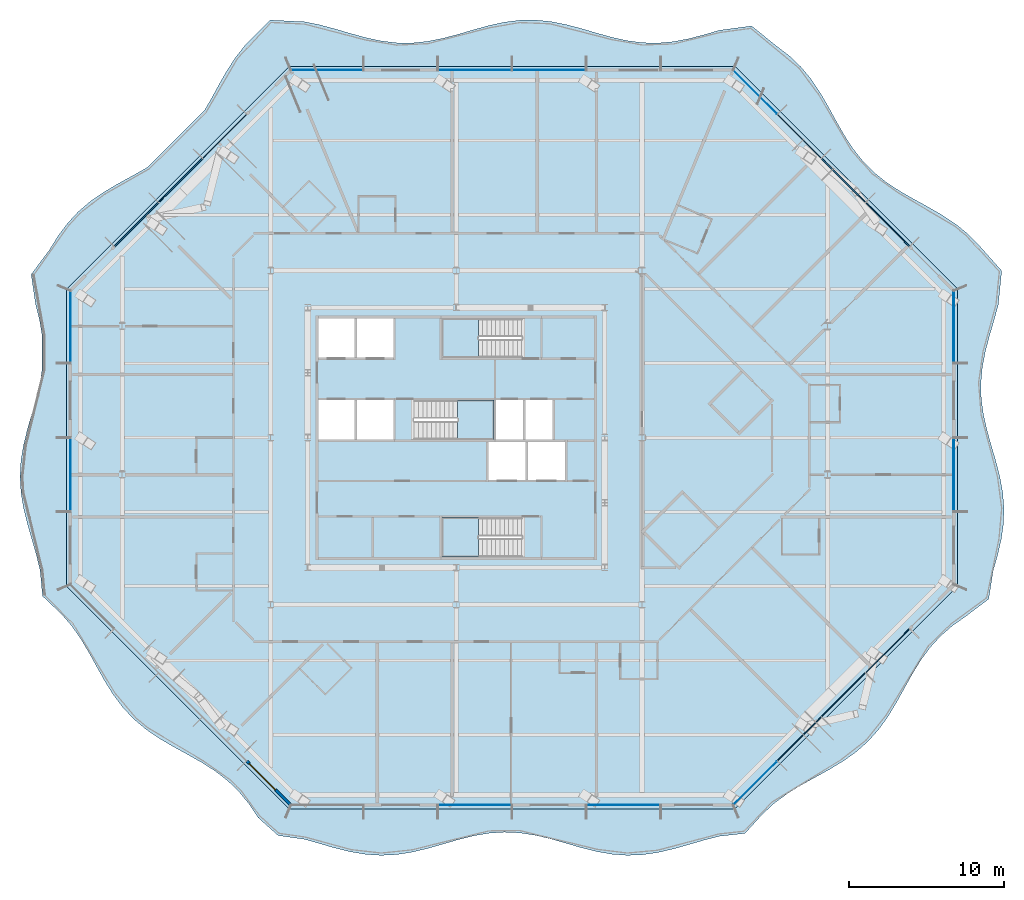
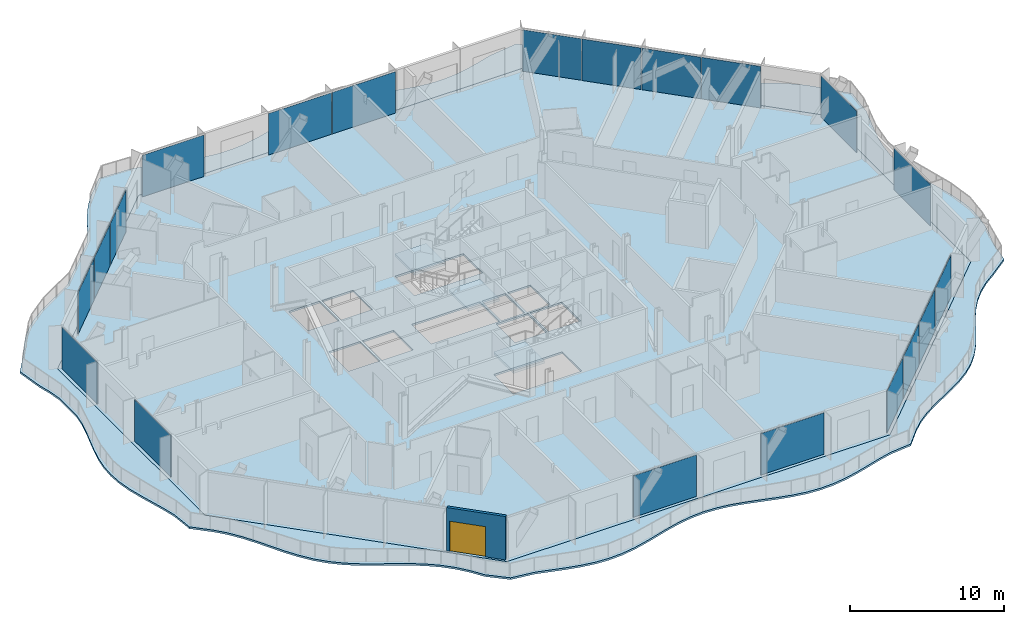
# One storey, part 6 of 19: 20 plates, 5 slabs, 1 door, 1 wall, 1 opening, 10 elements without a shape of their own.
"""IFC4 building model written with IfcOpenShell, lengths in metres."""

import ifcopenshell
import ifcopenshell.guid

model = None  # the IFC model being written
_history = None  # IfcOwnerHistory: only IFC2X3 demands one
_inside = {}  # id of a spatial element -> (the spatial element, [elements in it])
_under = {}  # id of a project, library or spatial element -> (it, [spatial elements below it])
_declared = {}  # id of a project -> (the project, [libraries it declares])
_typed = {}  # id of a type object -> (the type object, [elements of that type])
_made_of = {}  # id of a material, layer set ... -> (it, [elements and type objects made of it])


def new_model(schema):
    """Start an empty IFC model of exactly this schema.

    Asked for "IFC4X3", IfcOpenShell would pick the latest addendum, in which some entities
    have other attributes; the version numbers below select the first issue.
    IFC2X3 requires an IfcOwnerHistory on every rooted entity: one is made here for all.
    """
    global model, _history
    if schema == "IFC4X3":
        model = ifcopenshell.file(schema_version=(4, 3, 0, 0))
    else:
        model = ifcopenshell.file(schema=schema)
    _inside.clear()
    _under.clear()
    _declared.clear()
    _typed.clear()
    _made_of.clear()
    _history = None
    if model.schema == "IFC2X3":
        org = make("IfcOrganization", Name="unknown")
        user = make(
            "IfcPersonAndOrganization",
            ThePerson=make("IfcPerson", FamilyName="unknown"),
            TheOrganization=org,
        )
        app = make(
            "IfcApplication",
            ApplicationDeveloper=org,
            Version="unknown",
            ApplicationFullName="unknown",
            ApplicationIdentifier="unknown",
        )
        _history = make(
            "IfcOwnerHistory",
            OwningUser=user,
            OwningApplication=app,
            ChangeAction="ADDED",
            CreationDate=0,
        )
    return model


def make(cls, **values):
    """One entity of the class cls with the attributes given. An attribute that is None is left unset."""
    return model.create_entity(
        cls, **{name: value for name, value in values.items() if value is not None}
    )


def rooted(cls, **values):
    """An entity with a GlobalId (a new one), such as an element, a storey or a relation."""
    return make(cls, GlobalId=ifcopenshell.guid.new(), OwnerHistory=_history, **values)


def si_unit(unit_type, name, prefix=None):
    """IfcSIUnit, for example si_unit("LENGTHUNIT", "METRE", prefix="MILLI")."""
    return make("IfcSIUnit", UnitType=unit_type, Prefix=prefix, Name=name)


def assignment(units):
    """IfcUnitAssignment: the units of a project."""
    return None if units is None else make("IfcUnitAssignment", Units=units)


def point(xyz):
    """IfcCartesianPoint."""
    return None if xyz is None else make("IfcCartesianPoint", Coordinates=xyz)


def direction(xyz):
    """IfcDirection."""
    return None if xyz is None else make("IfcDirection", DirectionRatios=xyz)


def frame(location, z_axis=None, x_axis=None):
    """IfcAxis2Placement3D, a coordinate frame: its origin and axes. An axis left out is left unset."""
    return make(
        "IfcAxis2Placement3D",
        Location=point(location),
        Axis=direction(z_axis),
        RefDirection=direction(x_axis),
    )


def frame_2d(location, x_axis=None):
    """IfcAxis2Placement2D, a coordinate frame in the plane: its origin and x axis."""
    return make(
        "IfcAxis2Placement2D", Location=point(location), RefDirection=direction(x_axis)
    )


def origin():
    """The frame at (0, 0, 0) with its axes left unset."""
    return frame((0.0, 0.0, 0.0))


def origin_2d():
    """The frame at (0, 0) in the plane with its x axis left unset."""
    return frame_2d((0.0, 0.0))


def place(relative_to, where):
    """IfcLocalPlacement: puts the frame where relative to a parent placement (None: the world)."""
    return make(
        "IfcLocalPlacement", PlacementRelTo=relative_to, RelativePlacement=where
    )


def context(
    kind, dimensions, precision=None, world=None, true_north=None, identifier=None
):
    """IfcGeometricRepresentationContext, for example the 3D "Model" context."""
    return make(
        "IfcGeometricRepresentationContext",
        ContextIdentifier=identifier,
        ContextType=kind,
        CoordinateSpaceDimension=dimensions,
        Precision=precision,
        WorldCoordinateSystem=world,
        TrueNorth=true_north,
    )


def subcontext(parent, identifier, kind, view, scale=None):
    """IfcGeometricRepresentationSubContext, for example "Body" below "Model"."""
    return make(
        "IfcGeometricRepresentationSubContext",
        ContextIdentifier=identifier,
        ContextType=kind,
        ParentContext=parent,
        TargetScale=scale,
        TargetView=view,
    )


def project(units=None, contexts=None):
    """IfcProject with its units and contexts."""
    return rooted(
        "IfcProject",
        Name="project",
        RepresentationContexts=contexts,
        UnitsInContext=assignment(units),
    )


def spatial(cls, under=None, at=None, **own):
    """A site, building, storey or space (cls), placed at a placement, below another one or the project."""
    s = rooted(cls, ObjectPlacement=at, **own)
    if under is not None:
        _under.setdefault(under.id(), (under, []))[1].append(s)
    return s


def polyline(points):
    """IfcPolyline through the points."""
    return make("IfcPolyline", Points=[point(p) for p in points])


def profile(cls, at=None, kind="AREA", **sizes):
    """A parametric profile (cls). Its sizes go by their IFC names, for example OverallWidth=200.0."""
    return make(cls, ProfileType=kind, Position=at, **sizes)


def rectangle(**sizes):
    """IfcRectangleProfileDef."""
    return profile("IfcRectangleProfileDef", **sizes)


def outline(outer, holes=None, kind="AREA"):
    """IfcArbitraryClosedProfileDef: a profile drawn as a closed curve; with holes, ...WithVoids."""
    if holes is None:
        return make("IfcArbitraryClosedProfileDef", ProfileType=kind, OuterCurve=outer)
    return make(
        "IfcArbitraryProfileDefWithVoids",
        ProfileType=kind,
        OuterCurve=outer,
        InnerCurves=holes,
    )


def extrude(swept, where, along, depth):
    """IfcExtrudedAreaSolid: the profile swept, set in the frame where, extruded along a direction by depth."""
    return make(
        "IfcExtrudedAreaSolid",
        SweptArea=swept,
        Position=where,
        ExtrudedDirection=direction(along),
        Depth=depth,
    )


def shape(context_of_items, identifier, shape_type, items):
    """IfcShapeRepresentation: the items that make up one representation, for example the "Body"."""
    return make(
        "IfcShapeRepresentation",
        ContextOfItems=context_of_items,
        RepresentationIdentifier=identifier,
        RepresentationType=shape_type,
        Items=items,
    )


def material(Name=None, Category=None):
    """IfcMaterial."""
    return make("IfcMaterial", Name=Name, Category=Category)


def layer(
    of_material, thickness, ventilated=None, Name=None, Category=None, Priority=None
):
    """IfcMaterialLayer: one layer of a wall or slab, of a material (None: an air gap)."""
    return make(
        "IfcMaterialLayer",
        Material=of_material,
        LayerThickness=thickness,
        IsVentilated=ventilated,
        Name=Name,
        Category=Category,
        Priority=Priority,
    )


def layer_set(layers, Name=None):
    """IfcMaterialLayerSet."""
    return make("IfcMaterialLayerSet", MaterialLayers=layers, LayerSetName=Name)


def made_of(thing, what):
    """Note that an element or type object is made of a material, layer set ...; save() writes the relation."""
    if what is not None:
        _made_of.setdefault(what.id(), (what, []))[1].append(thing)
    return thing


def type_object(cls, material=None, **own):
    """A type object (cls), such as IfcWallType, which elements share."""
    return made_of(rooted(cls, **own), material)


def element(
    cls,
    number,
    at=None,
    inside=None,
    cuts=None,
    type_object=None,
    material=None,
    context=None,
    identifier="Body",
    shape_type=None,
    held_by="IfcProductDefinitionShape",
    body=None,
    shapes=None,
    **own,
):
    """One element of the class cls, such as IfcWall. Its Tag is "e" and its number.

    at: its placement. inside: the storey or other place that contains it. cuts: it is an
    opening in that element (IfcRelVoidsElement). A single representation is given by context,
    identifier, shape_type and body (its items); several are given by shapes. held_by: the class
    of the entity that holds the representations. save() writes the other relations.
    """
    e = rooted(cls, Tag="e%d" % number, ObjectPlacement=at, **own)
    if body is not None:
        shapes = [shape(context, identifier, shape_type, body)]
    if shapes is not None:
        e.Representation = make(held_by, Representations=shapes)
    if inside is not None:
        _inside.setdefault(inside.id(), (inside, []))[1].append(e)
    if cuts is not None:
        rooted(
            "IfcRelVoidsElement", RelatingBuildingElement=cuts, RelatedOpeningElement=e
        )
    if type_object is not None:
        _typed.setdefault(type_object.id(), (type_object, []))[1].append(e)
    return made_of(e, material)


def fill(opening, filler):
    """IfcRelFillsElement: the door or window that sits in an opening."""
    return rooted(
        "IfcRelFillsElement",
        RelatingOpeningElement=opening,
        RelatedBuildingElement=filler,
    )


def aggregate(whole, parts):
    """IfcRelAggregates: a whole, such as a stair, and the parts it consists of."""
    return rooted("IfcRelAggregates", RelatingObject=whole, RelatedObjects=parts)


def save(model, path):
    """Write the relations noted so far, then the file.

    IfcRelAggregates (storeys below a building ...), IfcRelContainedInSpatialStructure (elements
    in a storey), IfcRelDefinesByType, IfcRelAssociatesMaterial and IfcRelDeclares: one each for
    every whole, place, type object, material and project.
    """
    for whole, parts in _under.values():
        aggregate(whole, parts)
    for where, things in _inside.values():
        rooted(
            "IfcRelContainedInSpatialStructure",
            RelatedElements=things,
            RelatingStructure=where,
        )
    for kind, things in _typed.values():
        rooted("IfcRelDefinesByType", RelatedObjects=things, RelatingType=kind)
    for what, things in _made_of.values():
        rooted("IfcRelAssociatesMaterial", RelatedObjects=things, RelatingMaterial=what)
    for by, libraries in _declared.values():
        rooted("IfcRelDeclares", RelatingContext=by, RelatedDefinitions=libraries)
    model.write(path)


model = new_model("IFC4")

# Units and contexts
model_context = context("Model", 3, precision=1e-05, world=origin(), true_north=direction((0.0, 1.0)))
body_context = subcontext(model_context, "Body", "Model", "MODEL_VIEW")
ifc_project = project(units=[si_unit("LENGTHUNIT", "METRE"), si_unit("AREAUNIT", "SQUARE_METRE"), si_unit("VOLUMEUNIT", "CUBIC_METRE"), si_unit("PLANEANGLEUNIT", "RADIAN"), si_unit("MASSUNIT", "GRAM", prefix="KILO")], contexts=[model_context])

# Site, building, storey
site_placement = place(None, origin())
site = spatial("IfcSite", under=ifc_project, at=site_placement, CompositionType="ELEMENT")
building_placement = place(site_placement, origin())
building = spatial("IfcBuilding", under=site, at=building_placement, Name="Cairn Pilgrim Tower", CompositionType="ELEMENT")
storey_placement = place(building_placement, frame((0.0, 0.0, 186.60009765625)))
storey = spatial("IfcBuildingStorey", under=building, at=storey_placement, Name="L47", CompositionType="ELEMENT", Elevation=186.60009765625)

# Slabs
ifc_material_1 = material(Name="Concrete C35/45", Category="concrete")
ifc_layer_1 = layer(ifc_material_1, 0.14990234375)
ifc_layer_set_1 = layer_set([ifc_layer_1], Name="BALCONY SLAB 150 CONCRETE C35/45")
slab_type_1 = type_object("IfcSlabType", Name="BALCONY SLAB 150 CONCRETE C35/45", PredefinedType="FLOOR", material=ifc_layer_set_1)
slab_1_placement = place(storey_placement, frame((0.0, 0.0, -0.150146484375)))
element("IfcSlab", 1, at=slab_1_placement, inside=storey, type_object=slab_type_1, Name="Balcony slab BS-1", PredefinedType="FLOOR", context=body_context, shape_type="SweptSolid", body=[
    extrude(outline(polyline([(-8.153564453125, 25.193603515625), (-8.6630859375, 24.262939453125), (-9.082275390625, 23.542724609375), (-12.7216796875, 19.9033203125), (-12.857421875, 19.8173828125), (-13.778564453125, 19.298583984375), (-14.708251953125, 18.7880859375), (-15.613037109375, 18.2529296875), (-16.4638671875, 17.663818359375), (-17.239990234375, 17.0), (-17.932861328125, 16.252685546875), (-18.54638671875, 15.42626953125), (-19.09765625, 14.53759765625), (-20.28125, 12.94482421875), (-19.9892578125, 10.989501953125), (-19.737548828125, 9.97900390625), (-19.574951171875, 9.022705078125), (-19.574951171875, 6.796875), (-19.7109375, 5.936767578125), (-19.954345703125, 4.92626953125), (-20.24365234375, 3.915771484375), (-20.533935546875, 2.9052734375), (-20.7802734375, 1.894775390625), (-20.944091796875, 0.88427734375), (-21.0, -0.126220703125), (-20.939453125, -1.136962890625), (-20.771728515625, -2.1474609375), (-20.522705078125, -3.157958984375), (-20.231689453125, -4.16845703125), (-19.943359375, -5.178955078125), (-19.70263671875, -6.189453125), (-19.546875, -7.8408203125), (-18.341064453125, -8.981201171875), (-17.672119140625, -9.751953125), (-17.07861328125, -10.5986328125), (-16.54052734375, -11.50048828125), (-16.029541015625, -12.429443359375), (-15.512451171875, -13.352294921875), (-14.957275390625, -14.237060546875), (-14.337890625, -15.057861328125), (-13.638671875, -15.798583984375), (-12.856201171875, -16.4560546875), (-12.000244140625, -17.040283203125), (-11.09228515625, -17.572265625), (-10.162353515625, -18.082275390625), (-9.242919921875, -18.60302734375), (-8.365966796875, -19.166015625), (-7.555908203125, -19.7958984375), (-6.827392578125, -20.50732421875), (-6.18115234375, -21.30126953125), (-5.606201171875, -22.166015625), (-4.312255859375, -23.319580078125), (-2.60693359375, -23.56103515625), (-1.61376953125, -23.845947265625), (-0.62060546875, -24.13134765625), (0.372314453125, -24.37451171875), (1.365478515625, -24.5390625), (2.358642578125, -24.599853515625), (3.351806640625, -24.54833984375), (4.3447265625, -24.3916015625), (5.337890625, -24.15380859375), (6.3310546875, -23.870361328125), (7.32421875, -23.583740234375), (8.317138671875, -23.337158203125), (9.310302734375, -23.167724609375), (10.303466796875, -23.1005859375), (11.296630859375, -23.14599609375), (12.28955078125, -23.297119140625), (13.28271484375, -23.531494140625), (14.27587890625, -23.8134765625), (15.26904296875, -24.10107421875), (16.261962890625, -24.350830078125), (17.255126953125, -24.525390625), (18.248291015625, -24.5986328125), (19.241455078125, -24.559326171875), (20.234375, -24.41357421875), (21.2275390625, -24.183349609375), (22.220703125, -23.90283203125), (23.2138671875, -23.6142578125), (24.206787109375, -23.361328125), (25.855224609375, -23.181640625), (26.98193359375, -21.94189453125), (27.72900390625, -21.2490234375), (28.55517578125, -20.63525390625), (29.44384765625, -20.083740234375), (30.368408203125, -19.568359375), (31.29638671875, -19.056396484375), (32.195068359375, -18.51513671875), (33.03662109375, -17.91650390625), (33.80126953125, -17.2412109375), (34.482421875, -16.482421875), (35.0859375, -15.64599609375), (35.63037109375, -14.750244140625), (36.143310546875, -13.8232421875), (36.657470703125, -12.8974609375), (37.205322265625, -12.00537109375), (37.81396484375, -11.174072265625), (38.501220703125, -10.421142578125), (39.27197265625, -9.751953125), (40.1181640625, -9.158203125), (41.6083984375, -8.031982421875), (41.901611328125, -6.189453125), (42.186767578125, -5.178955078125), (42.419677734375, -4.16845703125), (42.56396484375, -3.157958984375), (42.59716796875, -2.1474609375), (42.514404296875, -1.136962890625), (42.328369140625, -0.126220703125), (42.068115234375, 0.88427734375), (41.773681640625, 1.894775390625), (41.4912109375, 2.9052734375), (41.2646484375, 3.915771484375), (41.12890625, 4.92626953125), (41.105224609375, 5.936767578125), (41.197265625, 6.947265625), (41.390869140625, 7.9580078125), (41.65576171875, 8.968505859375), (41.950927734375, 9.97900390625), (42.230224609375, 10.989501953125), (42.45068359375, 13.1806640625), (40.98583984375, 14.825927734375), (40.274658203125, 15.5546875), (39.48095703125, 16.200927734375), (38.616455078125, 16.7763671875), (37.703369140625, 17.303466796875), (36.77294921875, 17.812744140625), (35.857666015625, 18.337646484375), (34.98876953125, 18.908935546875), (34.189697265625, 19.5498046875), (33.472900390625, 20.27294921875), (32.837646484375, 21.07763671875), (32.27099609375, 21.950927734375), (31.748291015625, 22.868408203125), (31.23876953125, 23.798828125), (30.709228515625, 24.709228515625), (30.129150390625, 25.569091796875), (29.47705078125, 26.35693359375), (28.74169921875, 27.061767578125), (27.926025390625, 27.68603515625), (26.28076171875, 29.0087890625), (24.206787109375, 28.731689453125), (23.2138671875, 28.44189453125), (22.220703125, 28.18359375), (21.2275390625, 27.995361328125), (20.234375, 27.9052734375), (19.241455078125, 27.92724609375), (18.248291015625, 28.0576171875), (17.255126953125, 28.27685546875), (16.261962890625, 28.55224609375), (15.26904296875, 28.84228515625), (14.27587890625, 29.103515625), (13.28271484375, 29.296630859375), (12.28955078125, 29.392578125), (11.296630859375, 29.376953125), (10.303466796875, 29.252197265625), (9.310302734375, 29.037109375), (8.317138671875, 28.763916015625), (7.32421875, 28.473388671875), (6.3310546875, 28.20947265625), (5.337890625, 28.011962890625), (4.3447265625, 27.909912109375), (3.351806640625, 27.919189453125), (2.358642578125, 28.038330078125), (1.365478515625, 28.2490234375), (0.372314453125, 28.520263671875), (-0.62060546875, 28.810791015625), (-1.61376953125, 29.0771484375), (-2.60693359375, 29.279541015625), (-4.83740234375, 29.38720703125), (-6.42919921875, 27.7890625), (-7.064208984375, 26.984130859375), (-7.630859375, 26.11083984375), (-8.153564453125, 25.193603515625)]), holes=[polyline([(25.199951171875, -21.60009765625), (-3.60009765625, -21.60009765625), (-18.0, -7.199951171875), (-18.0, 12.0), (-3.60009765625, 26.39990234375), (25.199951171875, 26.39990234375), (39.60009765625, 12.0), (39.60009765625, -7.199951171875), (25.199951171875, -21.60009765625)])]), origin(), (0.0, 0.0, 1.0), 0.150146484375),
])
ifc_layer_2 = layer(ifc_material_1, 0.14990234375)
ifc_layer_set_2 = layer_set([ifc_layer_2], Name="COMPOSITE FLOOR SLAB 150")
slab_type_2 = type_object("IfcSlabType", Name="COMPOSITE FLOOR SLAB 150", PredefinedType="FLOOR", material=ifc_layer_set_2)
slab_2_placement = place(storey_placement, frame((0.0, 0.0, -0.150146484375)))
element("IfcSlab", 2, at=slab_2_placement, inside=storey, type_object=slab_type_2, Name="FLOOR SLAB L47", PredefinedType="FLOOR", context=body_context, shape_type="SweptSolid", body=[
    extrude(outline(polyline([(-3.60009765625, -21.60009765625), (25.199951171875, -21.60009765625), (39.60009765625, -7.199951171875), (39.60009765625, 12.0), (25.199951171875, 26.39990234375), (-3.60009765625, 26.39990234375), (-18.0, 12.0), (-18.0, -7.199951171875), (-3.60009765625, -21.60009765625)]), holes=[polyline([(9.27490234375, -0.324951171875), (11.675048828125, -0.324951171875), (11.675048828125, 2.125), (9.27490234375, 2.125), (9.27490234375, -0.324951171875)]), polyline([(11.824951171875, -0.324951171875), (14.22509765625, -0.324951171875), (14.22509765625, 2.125), (11.824951171875, 2.125), (11.824951171875, -0.324951171875)]), polyline([(-1.72509765625, 2.27490234375), (0.625, 2.27490234375), (0.625, 4.824951171875), (-1.72509765625, 4.824951171875), (-1.72509765625, 2.27490234375)]), polyline([(0.77490234375, 2.27490234375), (3.125, 2.27490234375), (3.125, 4.824951171875), (0.77490234375, 4.824951171875), (0.77490234375, 2.27490234375)]), polyline([(-1.72509765625, 7.574951171875), (0.625, 7.574951171875), (0.625, 10.10009765625), (-1.72509765625, 10.10009765625), (-1.72509765625, 7.574951171875)]), polyline([(0.77490234375, 7.574951171875), (3.125, 7.574951171875), (3.125, 10.10009765625), (0.77490234375, 10.10009765625), (0.77490234375, 7.574951171875)]), polyline([(9.77490234375, 2.27490234375), (11.52490234375, 2.27490234375), (11.52490234375, 4.824951171875), (9.77490234375, 4.824951171875), (9.77490234375, 2.27490234375)]), polyline([(11.675048828125, 2.27490234375), (13.425048828125, 2.27490234375), (13.425048828125, 4.824951171875), (11.675048828125, 4.824951171875), (11.675048828125, 2.27490234375)]), polyline([(11.424560546875, -2.77490234375), (6.27490234375, -2.77490234375), (6.27490234375, -5.300048828125), (11.424560546875, -5.300048828125), (11.424560546875, -2.77490234375)]), polyline([(4.4755859375, 2.27490234375), (9.625, 2.27490234375), (9.625, 4.824951171875), (4.4755859375, 4.824951171875), (4.4755859375, 2.27490234375)]), polyline([(11.424560546875, 10.10009765625), (6.27490234375, 10.10009765625), (6.27490234375, 7.574951171875), (11.424560546875, 7.574951171875), (11.424560546875, 10.10009765625)])]), origin(), (0.0, 0.0, 1.0), 0.150146484375),
])

# Curtain wall, plates
ifc_material_2 = material(Name="Aluminium alloy 6063-T6 bronze anodised with Bronze tinted laminated low-E glass 8+16+8.8", Category="aluminium")
curtain_wall_type_1 = type_object("IfcCurtainWallType", Name="CHAMFER CORNER CURTAIN WALL", PredefinedType="NOTDEFINED", material=ifc_material_2)
curtain_wall_1_placement = place(storey_placement, origin())
curtain_wall_1 = element("IfcCurtainWall", 3, at=curtain_wall_1_placement, inside=storey, type_object=curtain_wall_type_1, Name="Chamfer Corner Curtain Wall SE", PredefinedType="NOTDEFINED")
ifc_material_3 = material(Name="Bronze anodised aluminium spandrel panel with mineral wool insulation", Category="aluminium")
ifc_layer_3 = layer(ifc_material_3, 0.06005859375)
ifc_layer_set_3 = layer_set([ifc_layer_3], Name="SPANDREL PANEL 3972x3300")
plate_type_1 = type_object("IfcPlateType", Name="SPANDREL PANEL 3972x3300", PredefinedType="CURTAIN_PANEL", material=ifc_layer_set_3)
plate_1_placement = place(storey_placement, frame((29.37255859375, -17.073974609375, 0.0), z_axis=(0.0, 0.0, 1.0), x_axis=(0.707106781187, 0.707106781187, 0.0)))
plate_1 = element("IfcPlate", 4, at=plate_1_placement, type_object=plate_type_1, Name="Spandrel Panel SE2-1", PredefinedType="CURTAIN_PANEL", context=body_context, shape_type="SweptSolid", body=[
    extrude(rectangle(XDim=3.971435546875, YDim=0.06005859375, at=origin_2d()), origin(), (0.0, 0.0, 1.0), 3.300048828125),
])
plate_2_placement = place(storey_placement, frame((32.22314453125, -14.22314453125, 0.0), z_axis=(0.0, 0.0, 1.0), x_axis=(0.707106781187, 0.707106781187, 0.0)))
plate_2 = element("IfcPlate", 5, at=plate_2_placement, type_object=plate_type_1, Name="Spandrel Panel SE3-1", PredefinedType="CURTAIN_PANEL", context=body_context, shape_type="SweptSolid", body=[
    extrude(rectangle(XDim=3.971435546875, YDim=0.06005859375, at=origin_2d()), origin(), (0.0, 0.0, 1.0), 3.300048828125),
])
plate_3_placement = place(storey_placement, frame((35.073974609375, -11.37255859375, 0.0), z_axis=(0.0, 0.0, 1.0), x_axis=(0.707106781187, 0.707106781187, 0.0)))
plate_3 = element("IfcPlate", 6, at=plate_3_placement, type_object=plate_type_1, Name="Spandrel Panel SE4-1", PredefinedType="CURTAIN_PANEL", context=body_context, shape_type="SweptSolid", body=[
    extrude(rectangle(XDim=3.971435546875, YDim=0.06005859375, at=origin_2d()), origin(), (0.0, 0.0, 1.0), 3.300048828125),
])

curtain_wall_2_placement = place(storey_placement, origin())
curtain_wall_2 = element("IfcCurtainWall", 7, at=curtain_wall_2_placement, inside=storey, type_object=curtain_wall_type_1, Name="Chamfer Corner Curtain Wall NE", PredefinedType="NOTDEFINED")
plate_4_placement = place(storey_placement, frame((35.073974609375, 16.172607421875, 0.0), z_axis=(0.0, 0.0, 1.0), x_axis=(-0.707106781187, 0.707106781187, 0.0)))
plate_4 = element("IfcPlate", 8, at=plate_4_placement, type_object=plate_type_1, Name="Spandrel Panel NE2-1", PredefinedType="CURTAIN_PANEL", context=body_context, shape_type="SweptSolid", body=[
    extrude(rectangle(XDim=3.971435546875, YDim=0.06005859375, at=origin_2d()), origin(), (0.0, 0.0, 1.0), 3.300048828125),
])
plate_5_placement = place(storey_placement, frame((32.22314453125, 19.023193359375, 0.0), z_axis=(0.0, 0.0, 1.0), x_axis=(-0.707106781187, 0.707106781187, 0.0)))
plate_5 = element("IfcPlate", 9, at=plate_5_placement, type_object=plate_type_1, Name="Spandrel Panel NE3-1", PredefinedType="CURTAIN_PANEL", context=body_context, shape_type="SweptSolid", body=[
    extrude(rectangle(XDim=3.971435546875, YDim=0.06005859375, at=origin_2d()), origin(), (0.0, 0.0, 1.0), 3.300048828125),
])
plate_6_placement = place(storey_placement, frame((29.37255859375, 21.8740234375, 0.0), z_axis=(0.0, 0.0, 1.0), x_axis=(-0.707106781187, 0.707106781187, 0.0)))
plate_6 = element("IfcPlate", 10, at=plate_6_placement, type_object=plate_type_1, Name="Spandrel Panel NE4-1", PredefinedType="CURTAIN_PANEL", context=body_context, shape_type="SweptSolid", body=[
    extrude(rectangle(XDim=3.971435546875, YDim=0.06005859375, at=origin_2d()), origin(), (0.0, 0.0, 1.0), 3.300048828125),
])

curtain_wall_3_placement = place(storey_placement, origin())
curtain_wall_3 = element("IfcCurtainWall", 11, at=curtain_wall_3_placement, inside=storey, type_object=curtain_wall_type_1, Name="Chamfer Corner Curtain Wall NW", PredefinedType="NOTDEFINED")
plate_7_placement = place(storey_placement, frame((-7.7724609375, 21.8740234375, 0.0), z_axis=(0.0, 0.0, 1.0), x_axis=(-0.707106781187, -0.707106781187, 0.0)))
plate_7 = element("IfcPlate", 12, at=plate_7_placement, type_object=plate_type_1, Name="Spandrel Panel NW2-1", PredefinedType="CURTAIN_PANEL", context=body_context, shape_type="SweptSolid", body=[
    extrude(rectangle(XDim=3.971435546875, YDim=0.06005859375, at=origin_2d()), origin(), (0.0, 0.0, 1.0), 3.300048828125),
])
plate_8_placement = place(storey_placement, frame((-10.623291015625, 19.023193359375, 0.0), z_axis=(0.0, 0.0, 1.0), x_axis=(-0.707106781187, -0.707106781187, 0.0)))
plate_8 = element("IfcPlate", 13, at=plate_8_placement, type_object=plate_type_1, Name="Spandrel Panel NW3-1", PredefinedType="CURTAIN_PANEL", context=body_context, shape_type="SweptSolid", body=[
    extrude(rectangle(XDim=3.971435546875, YDim=0.06005859375, at=origin_2d()), origin(), (0.0, 0.0, 1.0), 3.300048828125),
])
plate_9_placement = place(storey_placement, frame((-13.473876953125, 16.172607421875, 0.0), z_axis=(0.0, 0.0, 1.0), x_axis=(-0.707106781187, -0.707106781187, 0.0)))
plate_9 = element("IfcPlate", 14, at=plate_9_placement, type_object=plate_type_1, Name="Spandrel Panel NW4-1", PredefinedType="CURTAIN_PANEL", context=body_context, shape_type="SweptSolid", body=[
    extrude(rectangle(XDim=3.971435546875, YDim=0.06005859375, at=origin_2d()), origin(), (0.0, 0.0, 1.0), 3.300048828125),
])
aggregate(curtain_wall_3, [plate_7, plate_8, plate_9])

# Stair, slab
ifc_material_4 = material(Name="Concrete C32/40", Category="concrete")
stair_type = type_object("IfcStairType", Name="EXIT STAIR 1200", PredefinedType="HALF_TURN_STAIR", material=ifc_material_4)
stair_1_placement = place(storey_placement, origin())
stair_1 = element("IfcStair", 15, at=stair_1_placement, inside=storey, type_object=stair_type, Name="L47 Exit Stair A", PredefinedType="HALF_TURN_STAIR")
ifc_layer_4 = layer(ifc_material_4, 0.199951171875)
ifc_layer_set_4 = layer_set([ifc_layer_4], Name="STAIR LANDING 200")
slab_type_3 = type_object("IfcSlabType", Name="STAIR LANDING 200", PredefinedType="LANDING", material=ifc_layer_set_4)
slab_3_placement = place(storey_placement, frame((0.0, 0.0, 1.599853515625)))
slab_3 = element("IfcSlab", 16, at=slab_3_placement, type_object=slab_type_3, Name="ST-A landing 1", PredefinedType="LANDING", context=body_context, shape_type="SweptSolid", body=[
    extrude(outline(polyline([(8.625, -2.77490234375), (6.27490234375, -2.77490234375), (6.27490234375, -5.300048828125), (8.625, -5.300048828125), (8.625, -2.77490234375)])), origin(), (0.0, 0.0, 1.0), 0.199951171875),
])
aggregate(stair_1, [slab_3])

stair_2_placement = place(storey_placement, origin())
stair_2 = element("IfcStair", 17, at=stair_2_placement, inside=storey, type_object=stair_type, Name="L47 Exit Stair B", PredefinedType="HALF_TURN_STAIR")
slab_4_placement = place(storey_placement, frame((0.0, 0.0, 1.599853515625)))
slab_4 = element("IfcSlab", 18, at=slab_4_placement, type_object=slab_type_3, Name="ST-B landing 1", PredefinedType="LANDING", context=body_context, shape_type="SweptSolid", body=[
    extrude(outline(polyline([(7.27490234375, 2.27490234375), (9.625, 2.27490234375), (9.625, 4.824951171875), (7.27490234375, 4.824951171875), (7.27490234375, 2.27490234375)])), origin(), (0.0, 0.0, 1.0), 0.199951171875),
])
aggregate(stair_2, [slab_4])

stair_3_placement = place(storey_placement, origin())
stair_3 = element("IfcStair", 19, at=stair_3_placement, inside=storey, type_object=stair_type, Name="L47 Exit Stair C", PredefinedType="HALF_TURN_STAIR")
slab_5_placement = place(storey_placement, frame((0.0, 0.0, 1.599853515625)))
slab_5 = element("IfcSlab", 20, at=slab_5_placement, type_object=slab_type_3, Name="ST-C landing 1", PredefinedType="LANDING", context=body_context, shape_type="SweptSolid", body=[
    extrude(outline(polyline([(8.625, 10.10009765625), (6.27490234375, 10.10009765625), (6.27490234375, 7.574951171875), (8.625, 7.574951171875), (8.625, 10.10009765625)])), origin(), (0.0, 0.0, 1.0), 0.199951171875),
])
aggregate(stair_3, [slab_5])

# Plate
ifc_material_5 = material(Name="Bronze tinted laminated low-E glass 8+16+8.8", Category="glass")
ifc_layer_5 = layer(ifc_material_5, 0.033935546875)
ifc_layer_set_5 = layer_set([ifc_layer_5], Name="VISION GLAZING 3962x3300")
plate_type_2 = type_object("IfcPlateType", Name="VISION GLAZING 3962x3300", PredefinedType="CURTAIN_PANEL", material=ifc_layer_set_5)
plate_10_placement = place(storey_placement, frame((26.525390625, -19.921142578125, 0.0), z_axis=(0.0, 0.0, 1.0), x_axis=(0.707106781187, 0.707106781187, 0.0)))
plate_10 = element("IfcPlate", 21, at=plate_10_placement, type_object=plate_type_2, Name="Vision Glazing SE1-1", PredefinedType="CURTAIN_PANEL", context=body_context, shape_type="SweptSolid", body=[
    extrude(rectangle(XDim=3.96142578125, YDim=0.033935546875, at=origin_2d()), origin(), (0.0, 0.0, 1.0), 3.300048828125),
])

aggregate(curtain_wall_1, [plate_10, plate_1, plate_2, plate_3])

plate_11_placement = place(storey_placement, frame((26.525390625, 24.72119140625, 0.0), z_axis=(0.0, 0.0, 1.0), x_axis=(-0.707106781187, 0.707106781187, 0.0)))
plate_11 = element("IfcPlate", 22, at=plate_11_placement, type_object=plate_type_2, Name="Vision Glazing NE5-1", PredefinedType="CURTAIN_PANEL", context=body_context, shape_type="SweptSolid", body=[
    extrude(rectangle(XDim=3.96142578125, YDim=0.033935546875, at=origin_2d()), origin(), (0.0, 0.0, 1.0), 3.300048828125),
])

aggregate(curtain_wall_2, [plate_4, plate_5, plate_6, plate_11])

# Curtain wall, plate
curtain_wall_type_2 = type_object("IfcCurtainWallType", Name="TOWER STICK CURTAIN WALL EW", PredefinedType="NOTDEFINED", material=ifc_material_2)
curtain_wall_4_placement = place(storey_placement, origin())
curtain_wall_4 = element("IfcCurtainWall", 23, at=curtain_wall_4_placement, inside=storey, type_object=curtain_wall_type_2, Name="Tower Stick Curtain Wall Ew E", PredefinedType="NOTDEFINED")
ifc_layer_6 = layer(ifc_material_5, 0.033935546875)
ifc_layer_set_6 = layer_set([ifc_layer_6], Name="VISION GLAZING 4626x3300")
plate_type_3 = type_object("IfcPlateType", Name="VISION GLAZING 4626x3300", PredefinedType="CURTAIN_PANEL", material=ifc_layer_set_6)
plate_12_placement = place(storey_placement, frame((39.35009765625, 9.543212890625, 0.0), z_axis=(0.0, 0.0, 1.0), x_axis=(0.0, 1.0, 0.0)))
plate_12 = element("IfcPlate", 24, at=plate_12_placement, type_object=plate_type_3, Name="Vision Glazing E4-1", PredefinedType="CURTAIN_PANEL", context=body_context, shape_type="SweptSolid", body=[
    extrude(rectangle(XDim=4.62646484375, YDim=0.033935546875, at=origin_2d()), origin(), (0.0, 0.0, 1.0), 3.300048828125),
])

curtain_wall_type_3 = type_object("IfcCurtainWallType", Name="TOWER STICK CURTAIN WALL NS", PredefinedType="NOTDEFINED", material=ifc_material_2)
curtain_wall_5_placement = place(storey_placement, origin())
curtain_wall_5 = element("IfcCurtainWall", 25, at=curtain_wall_5_placement, inside=storey, type_object=curtain_wall_type_3, Name="Tower Stick Curtain Wall Ns N", PredefinedType="NOTDEFINED")
plate_13_placement = place(storey_placement, frame((-1.143310546875, 26.14990234375, 0.0), z_axis=(0.0, 0.0, 1.0), x_axis=(-1.0, 0.0, 0.0)))
plate_13 = element("IfcPlate", 26, at=plate_13_placement, type_object=plate_type_3, Name="Vision Glazing N6-1", PredefinedType="CURTAIN_PANEL", context=body_context, shape_type="SweptSolid", body=[
    extrude(rectangle(XDim=4.62646484375, YDim=0.033935546875, at=origin_2d()), origin(), (0.0, 0.0, 1.0), 3.300048828125),
])

curtain_wall_6_placement = place(storey_placement, origin())
curtain_wall_6 = element("IfcCurtainWall", 27, at=curtain_wall_6_placement, inside=storey, type_object=curtain_wall_type_2, Name="Tower Stick Curtain Wall Ew W", PredefinedType="NOTDEFINED")
plate_14_placement = place(storey_placement, frame((-17.75, 9.543212890625, 0.0), z_axis=(0.0, 0.0, 1.0), x_axis=(0.0, -1.0, 0.0)))
plate_14 = element("IfcPlate", 28, at=plate_14_placement, type_object=plate_type_3, Name="Vision Glazing W1-1", PredefinedType="CURTAIN_PANEL", context=body_context, shape_type="SweptSolid", body=[
    extrude(rectangle(XDim=4.62646484375, YDim=0.033935546875, at=origin_2d()), origin(), (0.0, 0.0, 1.0), 3.300048828125),
])

# Curtain wall, plates
curtain_wall_7_placement = place(storey_placement, origin())
curtain_wall_7 = element("IfcCurtainWall", 29, at=curtain_wall_7_placement, inside=storey, type_object=curtain_wall_type_3, Name="Tower Stick Curtain Wall Ns S", PredefinedType="NOTDEFINED")
ifc_layer_7 = layer(ifc_material_5, 0.033935546875)
ifc_layer_set_7 = layer_set([ifc_layer_7], Name="VISION GLAZING 4740x3300")
plate_type_4 = type_object("IfcPlateType", Name="VISION GLAZING 4740x3300", PredefinedType="CURTAIN_PANEL", material=ifc_layer_set_7)
plate_15_placement = place(storey_placement, frame((8.39990234375, -21.35009765625, 0.0), z_axis=(0.0, 0.0, 1.0), x_axis=(1.0, 0.0, 0.0)))
plate_15 = element("IfcPlate", 30, at=plate_15_placement, type_object=plate_type_4, Name="Vision Glazing S3-1", PredefinedType="CURTAIN_PANEL", context=body_context, shape_type="SweptSolid", body=[
    extrude(rectangle(XDim=4.739990234375, YDim=0.033935546875, at=origin_2d()), origin(), (0.0, 0.0, 1.0), 3.300048828125),
])
plate_16_placement = place(storey_placement, frame((18.0, -21.35009765625, 0.0), z_axis=(0.0, 0.0, 1.0), x_axis=(1.0, 0.0, 0.0)))
plate_16 = element("IfcPlate", 31, at=plate_16_placement, type_object=plate_type_4, Name="Vision Glazing S5-1", PredefinedType="CURTAIN_PANEL", context=body_context, shape_type="SweptSolid", body=[
    extrude(rectangle(XDim=4.739990234375, YDim=0.033935546875, at=origin_2d()), origin(), (0.0, 0.0, 1.0), 3.300048828125),
])
aggregate(curtain_wall_7, [plate_15, plate_16])

# Plate
plate_17_placement = place(storey_placement, frame((39.35009765625, 0.0, 0.0), z_axis=(0.0, 0.0, 1.0), x_axis=(0.0, 1.0, 0.0)))
plate_17 = element("IfcPlate", 32, at=plate_17_placement, type_object=plate_type_4, Name="Vision Glazing E2-1", PredefinedType="CURTAIN_PANEL", context=body_context, shape_type="SweptSolid", body=[
    extrude(rectangle(XDim=4.739990234375, YDim=0.033935546875, at=origin_2d()), origin(), (0.0, 0.0, 1.0), 3.300048828125),
])

aggregate(curtain_wall_4, [plate_17, plate_12])

plate_18_placement = place(storey_placement, frame((13.199951171875, 26.14990234375, 0.0), z_axis=(0.0, 0.0, 1.0), x_axis=(-1.0, 0.0, 0.0)))
plate_18 = element("IfcPlate", 33, at=plate_18_placement, type_object=plate_type_4, Name="Vision Glazing N3-1", PredefinedType="CURTAIN_PANEL", context=body_context, shape_type="SweptSolid", body=[
    extrude(rectangle(XDim=4.739990234375, YDim=0.033935546875, at=origin_2d()), origin(), (0.0, 0.0, 1.0), 3.300048828125),
])

plate_19_placement = place(storey_placement, frame((8.39990234375, 26.14990234375, 0.0), z_axis=(0.0, 0.0, 1.0), x_axis=(-1.0, 0.0, 0.0)))
plate_19 = element("IfcPlate", 34, at=plate_19_placement, type_object=plate_type_4, Name="Vision Glazing N4-1", PredefinedType="CURTAIN_PANEL", context=body_context, shape_type="SweptSolid", body=[
    extrude(rectangle(XDim=4.739990234375, YDim=0.033935546875, at=origin_2d()), origin(), (0.0, 0.0, 1.0), 3.300048828125),
])

aggregate(curtain_wall_5, [plate_18, plate_19, plate_13])

plate_20_placement = place(storey_placement, frame((-17.75, 0.0, 0.0), z_axis=(0.0, 0.0, 1.0), x_axis=(0.0, -1.0, 0.0)))
plate_20 = element("IfcPlate", 35, at=plate_20_placement, type_object=plate_type_4, Name="Vision Glazing W3-1", PredefinedType="CURTAIN_PANEL", context=body_context, shape_type="SweptSolid", body=[
    extrude(rectangle(XDim=4.739990234375, YDim=0.033935546875, at=origin_2d()), origin(), (0.0, 0.0, 1.0), 3.300048828125),
])

aggregate(curtain_wall_6, [plate_14, plate_20])

# Wall, opening, door
ifc_material_6 = material(Name="Bronze anodised aluminium insulated sandwich panel with mineral wool fill", Category="aluminium")
ifc_layer_8 = layer(ifc_material_6, 0.199951171875)
ifc_layer_set_8 = layer_set([ifc_layer_8], Name="BRONZE INFILL FRAME WALL 200")
wall_type = type_object("IfcWallType", Name="BRONZE INFILL FRAME WALL 200", PredefinedType="NOTDEFINED", material=ifc_layer_set_8)
wall_placement = place(storey_placement, frame((-6.325927734375, -18.5205078125, 0.0), z_axis=(0.0, 0.0, 1.0), x_axis=(0.707106781187, -0.707106781187, 0.0)))
wall = element("IfcWall", 36, at=wall_placement, inside=storey, type_object=wall_type, Name="Bronze infill frame wall IW-SW5", PredefinedType="NOTDEFINED", context=body_context, shape_type="SweptSolid", body=[
    extrude(rectangle(XDim=3.961669921875, YDim=0.199951171875, at=frame_2d((1.98095703125, 0.0))), origin(), (0.0, 0.0, 1.0), 3.449951171875),
])
opening_placement = place(wall_placement, frame((0.199951171875, 0.0, 0.0)))
opening = element("IfcOpeningElement", 37, at=opening_placement, cuts=wall, Name="Opening 4720B", PredefinedType="OPENING", context=body_context, shape_type="SweptSolid", body=[
    extrude(rectangle(XDim=2.39990234375, YDim=2.39990234375, at=frame_2d((1.199951171875, 1.199951171875))), frame((0.0, 0.10986328125, 0.0), z_axis=(0.0, -1.0, 0.0), x_axis=(1.0, 0.0, 0.0)), (0.0, 0.0, 1.0), 0.219970703125),
])
ifc_material_7 = material(Name="Bronze anodised aluminium frame with tinted low-E glass", Category="aluminium")
door_type = type_object("IfcDoorType", Name="BALCONY SLIDING DOOR 2400x2400", OperationType="DOUBLE_DOOR_SLIDING", PredefinedType="DOOR", material=ifc_material_7)
door_placement = place(opening_placement, origin())
door = element("IfcDoor", 38, at=door_placement, inside=storey, type_object=door_type, Name="Balcony sliding door 4720B", OperationType="SINGLE_SWING_LEFT", OverallHeight=2.39990234375, OverallWidth=2.39990234375, PredefinedType="DOOR", context=body_context, shape_type="SweptSolid", body=[
    extrude(rectangle(XDim=2.39990234375, YDim=2.39990234375, at=frame_2d((1.199951171875, 1.199951171875))), frame((0.0, 0.02490234375, 0.0), z_axis=(0.0, -1.0, 0.0), x_axis=(1.0, 0.0, 0.0)), (0.0, 0.0, 1.0), 0.050048828125),
])
fill(opening, door)

save(model, "model.ifc")
